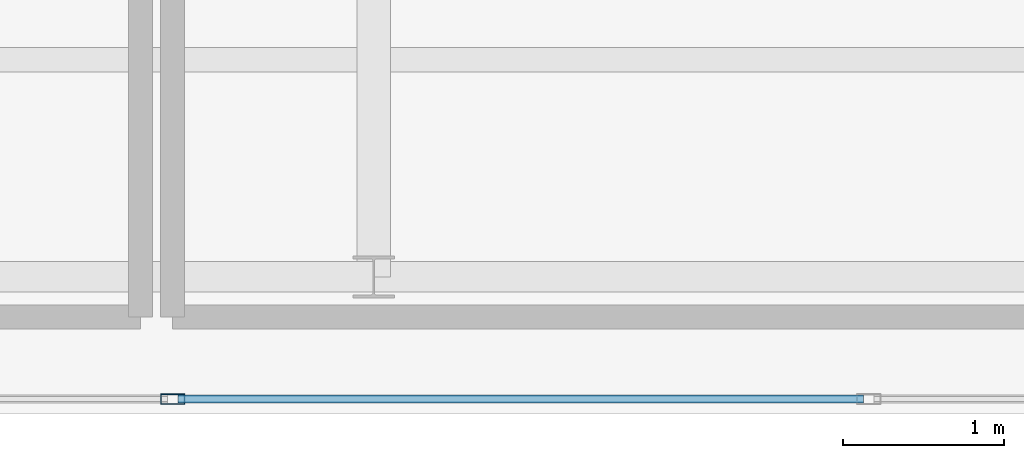
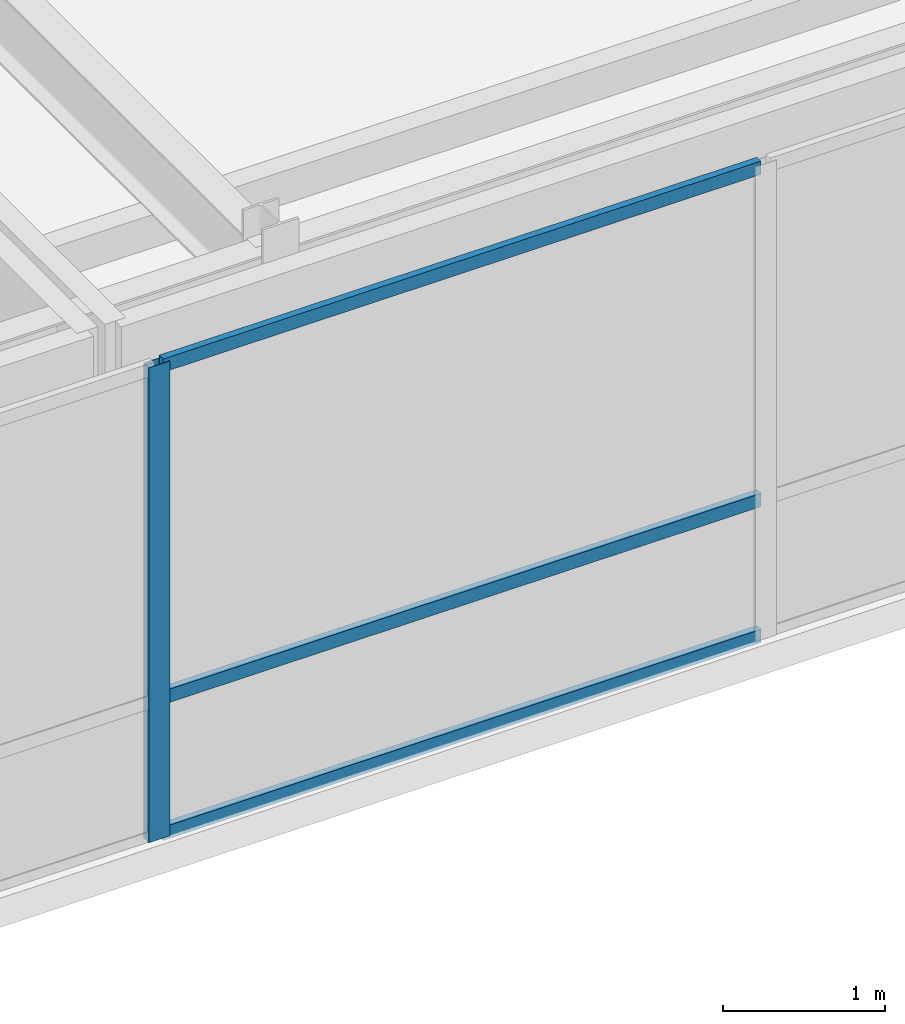
# One storey, part 10 of 36: 4 members, 1 element without a shape of its own.
"""IFC4 building model written with IfcOpenShell, lengths in metres."""

from ifc_helpers import new_model, si_unit, direction, frame, origin, origin_2d, place, context, subcontext, project, spatial, hollow_rectangle, extrude, source, transform, mapped, material, layer, layer_set, material_profile, profile_set, type_object, type_shapes, element, aggregate, save


model = new_model("IFC4")

# Units and contexts
model_context = context("Model", 3, precision=1e-05, world=origin(), true_north=direction((0.0, 1.0)))
body_context = subcontext(model_context, "Body", "Model", "MODEL_VIEW")
ifc_project = project(units=[si_unit("LENGTHUNIT", "METRE"), si_unit("AREAUNIT", "SQUARE_METRE"), si_unit("VOLUMEUNIT", "CUBIC_METRE"), si_unit("PLANEANGLEUNIT", "RADIAN"), si_unit("MASSUNIT", "GRAM", prefix="KILO")], contexts=[model_context])

# Site, building, storey
site_placement = place(None, origin())
site = spatial("IfcSite", under=ifc_project, at=site_placement, CompositionType="ELEMENT")
building_placement = place(site_placement, origin())
building = spatial("IfcBuilding", under=site, at=building_placement, Name="Tolvann Quenvar Hotel", CompositionType="ELEMENT")
storey_placement = place(building_placement, frame((0.0, 0.0, 298.550048828125)))
storey = spatial("IfcBuildingStorey", under=building, at=storey_placement, Name="L79", CompositionType="ELEMENT", Elevation=298.550048828125)

# Curtain wall, members
ifc_material_1 = material(Name="Thermally broken anodised architectural aluminium 6063-T6 and laminated low-E glass", Category="aluminium")
ifc_layer = layer(ifc_material_1, 0.179931640625)
ifc_layer_set = layer_set([ifc_layer], Name="Thermally broken anodised architectural aluminium 6063-T6 and laminated low-E glass")
curtain_wall_type = type_object("IfcCurtainWallType", Name="CW_SYS_LANT_06", PredefinedType="USERDEFINED", material=ifc_layer_set)
curtain_wall_placement = place(storey_placement, origin())
curtain_wall = element("IfcCurtainWall", 1, at=curtain_wall_placement, inside=storey, type_object=curtain_wall_type, Name="Curtain Wall CW-LANT-06 (CWR-L79-E04)", ObjectType="UNITISED CURTAIN WALL", PredefinedType="USERDEFINED")
ifc_material_2 = material(Name="Anodised architectural aluminium 6063-T6 framing", Category="aluminium")
ifc_material_profile_1 = material_profile(ifc_material_2, hollow_rectangle(XDim=0.050048828125, YDim=0.10009765625, WallThickness=0.0029296875, at=origin_2d()), Name="100x50x3RHS")
ifc_profile_set_1 = profile_set([ifc_material_profile_1], Name="Anodised architectural aluminium 6063-T6 framing")
member_type_1 = type_object("IfcMemberType", Name="CW_TRAN_100x50", PredefinedType="USERDEFINED", material=ifc_profile_set_1)
shared_shape_1 = source(origin(), body_context, "Body", "SweptSolid", [
    extrude(hollow_rectangle(XDim=0.050048828125, YDim=0.10009765625, WallThickness=0.0029296875, at=origin_2d()), origin(), (0.0, 0.0, 1.0), 4.2626953125),
])
type_shapes(member_type_1, [shared_shape_1])
member_1_placement = place(storey_placement, frame((20.83251953125, 6.2900390625, 0.02490234375), z_axis=(1.0, 0.0, 0.0), x_axis=(0.0, 1.0, 0.0)))
member_1 = element("IfcMember", 2, at=member_1_placement, type_object=member_type_1, Name="CW-LANT-06 transom 4.1", ObjectType="TRANSOM", PredefinedType="USERDEFINED", context=body_context, shape_type="MappedRepresentation", body=[
    mapped(shared_shape_1, transform((0.0, 0.0, 0.0), x_axis=(1.0, 0.0, 0.0), y_axis=(0.0, 1.0, 0.0), z_axis=(0.0, 0.0, 1.0), scale=1.0)),
])
member_2_placement = place(storey_placement, frame((20.83251953125, 6.2900390625, 1.050048828125), z_axis=(1.0, 0.0, 0.0), x_axis=(0.0, 1.0, 0.0)))
member_2 = element("IfcMember", 3, at=member_2_placement, type_object=member_type_1, Name="CW-LANT-06 transom 4.2", ObjectType="TRANSOM", PredefinedType="USERDEFINED", context=body_context, shape_type="MappedRepresentation", body=[
    mapped(shared_shape_1, transform((0.0, 0.0, 0.0), x_axis=(1.0, 0.0, 0.0), y_axis=(0.0, 1.0, 0.0), z_axis=(0.0, 0.0, 1.0), scale=1.0)),
])
member_3_placement = place(storey_placement, frame((20.83251953125, 6.2900390625, 3.554931640625), z_axis=(1.0, 0.0, 0.0), x_axis=(0.0, 1.0, 0.0)))
member_3 = element("IfcMember", 4, at=member_3_placement, type_object=member_type_1, Name="CW-LANT-06 transom 4.3", ObjectType="TRANSOM", PredefinedType="USERDEFINED", context=body_context, shape_type="MappedRepresentation", body=[
    mapped(shared_shape_1, transform((0.0, 0.0, 0.0), x_axis=(1.0, 0.0, 0.0), y_axis=(0.0, 1.0, 0.0), z_axis=(0.0, 0.0, 1.0), scale=1.0)),
])
ifc_material_profile_2 = material_profile(ifc_material_2, hollow_rectangle(XDim=0.06494140625, YDim=0.14990234375, WallThickness=0.00390625, at=origin_2d()), Name="150x65x4RHS")
ifc_profile_set_2 = profile_set([ifc_material_profile_2], Name="Anodised architectural aluminium 6063-T6 framing")
member_type_2 = type_object("IfcMemberType", Name="CW_MULL_150x65", PredefinedType="MULLION", material=ifc_profile_set_2)
shared_shape_2 = source(origin(), body_context, "Body", "SweptSolid", [
    extrude(hollow_rectangle(XDim=0.06494140625, YDim=0.14990234375, WallThickness=0.00390625, at=origin_2d()), origin(), (0.0, 0.0, 1.0), 3.579833984375),
])
type_shapes(member_type_2, [shared_shape_2])
member_4_placement = place(storey_placement, frame((20.800048828125, 6.2900390625, 0.0), z_axis=(0.0, 0.0, 1.0), x_axis=(0.0, 1.0, 0.0)))
member_4 = element("IfcMember", 5, at=member_4_placement, type_object=member_type_2, Name="CW-LANT-06 mullion 4", PredefinedType="MULLION", context=body_context, shape_type="MappedRepresentation", body=[
    mapped(shared_shape_2, transform((0.0, 0.0, 0.0), x_axis=(1.0, 0.0, 0.0), y_axis=(0.0, 1.0, 0.0), z_axis=(0.0, 0.0, 1.0), scale=1.0)),
])
aggregate(curtain_wall, [member_4, member_1, member_2, member_3])

save(model, "model.ifc")
